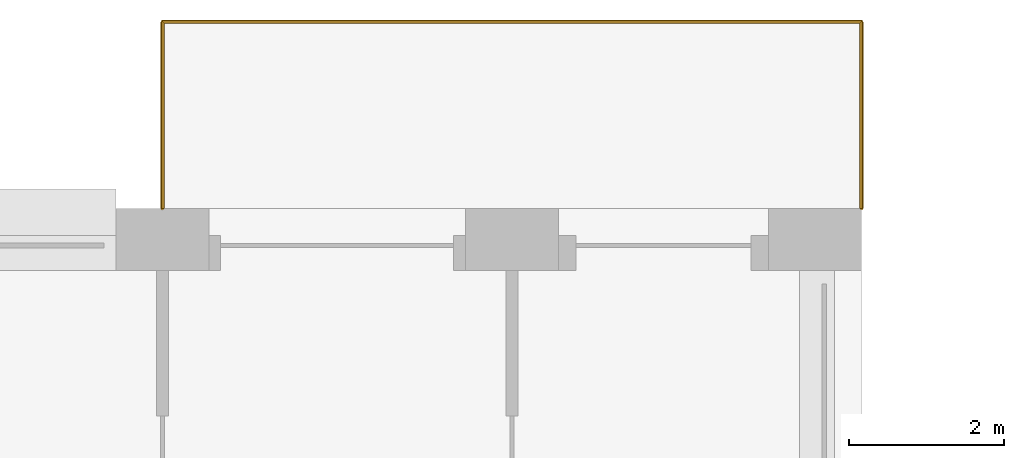
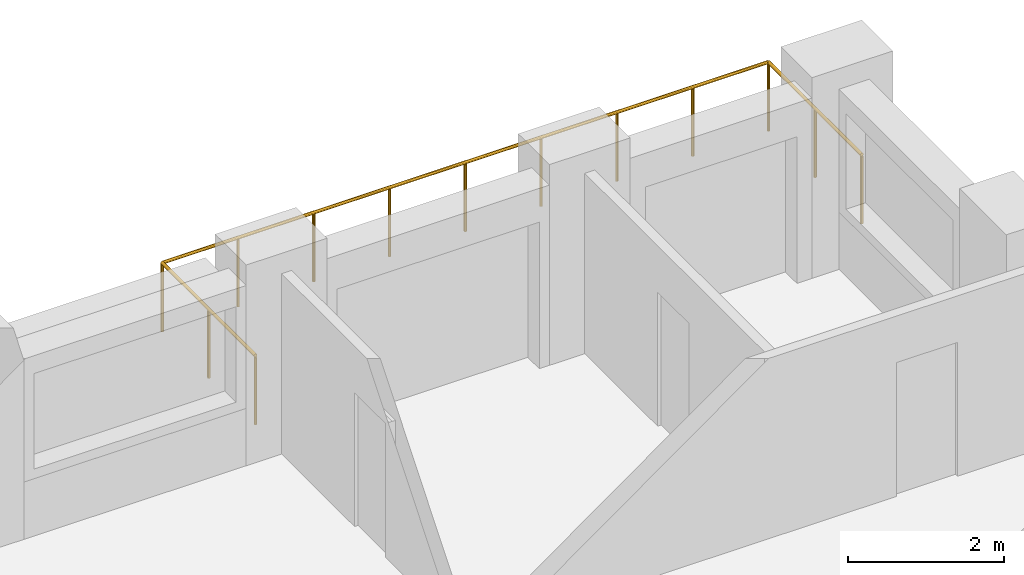
# One storey, part 20 of 20: 1 railing.
"""IFC4 building model written with IfcOpenShell, lengths in metres."""

from ifc_helpers import new_model, si_unit, direction, frame, origin, origin_2d, place, context, subcontext, project, spatial, circle, extrude, material, type_object, element, save


model = new_model("IFC4")

# Units and contexts
model_context = context("Model", 3, precision=1e-05, world=origin(), true_north=direction((0.0, 1.0)))
body_context = subcontext(model_context, "Body", "Model", "MODEL_VIEW")
ifc_project = project(units=[si_unit("LENGTHUNIT", "METRE"), si_unit("AREAUNIT", "SQUARE_METRE"), si_unit("VOLUMEUNIT", "CUBIC_METRE"), si_unit("PLANEANGLEUNIT", "RADIAN"), si_unit("MASSUNIT", "GRAM", prefix="KILO")], contexts=[model_context])

# Site, building, storey
site_placement = place(None, origin())
site = spatial("IfcSite", under=ifc_project, at=site_placement, CompositionType="ELEMENT")
building_placement = place(site_placement, origin())
building = spatial("IfcBuilding", under=site, at=building_placement, Name="Brigalow Station Residences", CompositionType="ELEMENT")
storey_placement = place(building_placement, frame((0.0, 0.0, 41.550048828125)))
storey = spatial("IfcBuildingStorey", under=building, at=storey_placement, Name="L11", CompositionType="ELEMENT", Elevation=41.550048828125)

# Railing
ifc_material = material(Name="Stainless steel balustrade with laminated glass infill", Category="steel")
railing_type = type_object("IfcRailingType", Name="BALCONY GUARD 1100", PredefinedType="GUARDRAIL", material=ifc_material)
railing_placement = place(storey_placement, frame((72.0, 48.5, -0.0400390625)))
element("IfcRailing", 1, at=railing_placement, inside=storey, type_object=railing_type, Name="L11/balcony-guard/2", PredefinedType="GUARDRAIL", context=body_context, shape_type="SweptSolid", body=[
    extrude(circle(Radius=0.02392578125, at=origin_2d()), frame((0.0, 0.0, 1.076171875), z_axis=(0.0, 1.0, 0.0), x_axis=(-1.0, 0.0, 0.0)), (0.0, 0.0, 1.0), 2.39990234375),
    extrude(circle(Radius=0.02392578125, at=origin_2d()), frame((0.0, 2.39990234375, 1.076171875), z_axis=(-1.0, 0.0, 0.0), x_axis=(0.0, -1.0, 0.0)), (0.0, 0.0, 1.0), 9.0),
    extrude(circle(Radius=0.02392578125, at=origin_2d()), frame((-9.0, 2.39990234375, 1.076171875), z_axis=(0.0, -1.0, 0.0), x_axis=(1.0, 0.0, 0.0)), (0.0, 0.0, 1.0), 2.39990234375),
    extrude(circle(Radius=0.02099609375, at=origin_2d()), origin(), (0.0, 0.0, 1.0), 1.052001953125),
    extrude(circle(Radius=0.02099609375, at=origin_2d()), frame((0.0, 1.199951171875, 0.0)), (0.0, 0.0, 1.0), 1.052001953125),
    extrude(circle(Radius=0.02099609375, at=origin_2d()), frame((0.0, 2.39990234375, 0.0)), (0.0, 0.0, 1.0), 1.052001953125),
    extrude(circle(Radius=0.02099609375, at=origin_2d()), frame((-1.125, 2.39990234375, 0.0)), (0.0, 0.0, 1.0), 1.052001953125),
    extrude(circle(Radius=0.02099609375, at=origin_2d()), frame((-2.25, 2.39990234375, 0.0)), (0.0, 0.0, 1.0), 1.052001953125),
    extrude(circle(Radius=0.02099609375, at=origin_2d()), frame((-3.375, 2.39990234375, 0.0)), (0.0, 0.0, 1.0), 1.052001953125),
    extrude(circle(Radius=0.02099609375, at=origin_2d()), frame((-4.5, 2.39990234375, 0.0)), (0.0, 0.0, 1.0), 1.052001953125),
    extrude(circle(Radius=0.02099609375, at=origin_2d()), frame((-5.625, 2.39990234375, 0.0)), (0.0, 0.0, 1.0), 1.052001953125),
    extrude(circle(Radius=0.02099609375, at=origin_2d()), frame((-6.75, 2.39990234375, 0.0)), (0.0, 0.0, 1.0), 1.052001953125),
    extrude(circle(Radius=0.02099609375, at=origin_2d()), frame((-7.875, 2.39990234375, 0.0)), (0.0, 0.0, 1.0), 1.052001953125),
    extrude(circle(Radius=0.02099609375, at=origin_2d()), frame((-9.0, 2.39990234375, 0.0)), (0.0, 0.0, 1.0), 1.052001953125),
    extrude(circle(Radius=0.02099609375, at=origin_2d()), frame((-9.0, 1.199951171875, 0.0)), (0.0, 0.0, 1.0), 1.052001953125),
    extrude(circle(Radius=0.02099609375, at=origin_2d()), frame((-9.0, 0.0, 0.0)), (0.0, 0.0, 1.0), 1.052001953125),
])

save(model, "model.ifc")
